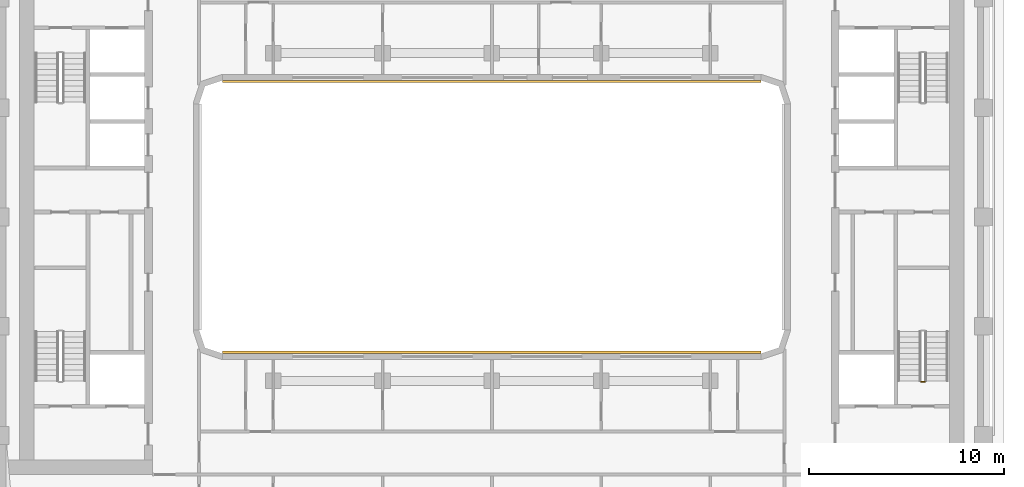
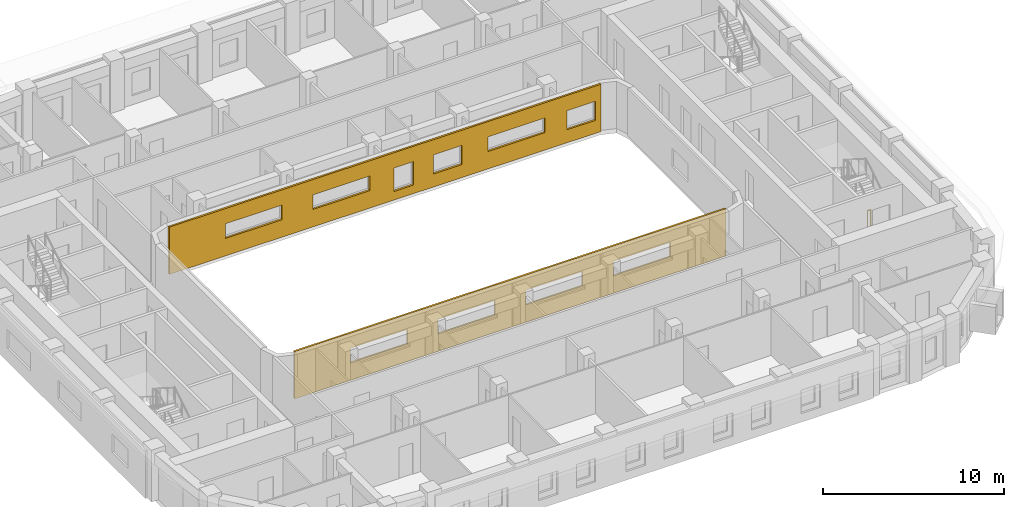
# One storey, part 15 of 21: 2 coverings, 1 railing.
"""IFC4 building model written with IfcOpenShell, lengths in metres."""

from ifc_helpers import new_model, si_unit, direction, frame, origin, origin_2d, place, context, subcontext, project, spatial, polyline, circle, outline, extrude, material, layer, layer_set, type_object, element, save


model = new_model("IFC4")

# Units and contexts
model_context = context("Model", 3, precision=1e-05, world=origin(), true_north=direction((0.0, 1.0)))
body_context = subcontext(model_context, "Body", "Model", "MODEL_VIEW")
ifc_project = project(units=[si_unit("LENGTHUNIT", "METRE"), si_unit("AREAUNIT", "SQUARE_METRE"), si_unit("VOLUMEUNIT", "CUBIC_METRE"), si_unit("PLANEANGLEUNIT", "RADIAN"), si_unit("MASSUNIT", "GRAM", prefix="KILO")], contexts=[model_context])

# Site, building, storey
site_placement = place(None, origin())
site = spatial("IfcSite", under=ifc_project, at=site_placement, CompositionType="ELEMENT")
building_placement = place(site_placement, origin())
building = spatial("IfcBuilding", under=site, at=building_placement, Name="Kiln Ring Residences", CompositionType="ELEMENT")
storey_placement = place(building_placement, frame((0.0, 0.0, 199.39990234375)))
storey = spatial("IfcBuildingStorey", under=building, at=storey_placement, Name="L51", CompositionType="ELEMENT", Elevation=199.39990234375)

# Railing
ifc_material_1 = material(Name="Stainless steel", Category="steel")
railing_type = type_object("IfcRailingType", Name="CORE-STAIR-GUARD", PredefinedType="GUARDRAIL", material=ifc_material_1)
railing_placement = place(storey_placement, frame((22.199951171875, -8.449951171875, 0.0)))
element("IfcRailing", 1, at=railing_placement, inside=storey, type_object=railing_type, Name="L51 E-STS stair guard 4", PredefinedType="GUARDRAIL", context=body_context, shape_type="SweptSolid", body=[
    extrude(circle(Radius=0.02392578125, at=origin_2d()), frame((0.0, 0.0, 1.076171875), z_axis=(-1.0, 0.0, 0.0), x_axis=(0.0, -1.0, 0.0)), (0.0, 0.0, 1.0), 0.199951171875),
    extrude(circle(Radius=0.02099609375, at=origin_2d()), origin(), (0.0, 0.0, 1.0), 1.052001953125),
    extrude(circle(Radius=0.02099609375, at=origin_2d()), frame((-0.199951171875, 0.0, 0.0)), (0.0, 0.0, 1.0), 1.052001953125),
])

# Coverings
ifc_material_2 = material(Name="Brick masonry, dark clay brick", Category="masonry")
ifc_layer = layer(ifc_material_2, 0.1201171875)
ifc_layer_set = layer_set([ifc_layer], Name="RAINSCREEN PANEL 120")
covering_type = type_object("IfcCoveringType", Name="RAINSCREEN PANEL 120", PredefinedType="CLADDING", material=ifc_layer_set)
covering_1_placement = place(storey_placement, frame((-13.800048828125, 6.93994140625, 0.0), z_axis=(0.0, 0.0, 1.0), x_axis=(1.0, 0.0, 0.0)))
element("IfcCovering", 2, at=covering_1_placement, inside=storey, type_object=covering_type, Name="RAINSCREEN L51", PredefinedType="CLADDING", context=body_context, shape_type="SweptSolid", body=[
    extrude(outline(polyline([(0.0, 0.0), (27.60009765625, 0.0), (27.60009765625, 3.2001953125), (0.0, 3.2001953125), (0.0, 0.0)]), holes=[polyline([(15.6201171875, 0.580078125), (15.6201171875, 2.170166015625), (14.3798828125, 2.170166015625), (14.3798828125, 0.580078125), (15.6201171875, 0.580078125)]), polyline([(16.8798828125, 0.880126953125), (18.719970703125, 0.880126953125), (18.719970703125, 2.170166015625), (16.8798828125, 2.170166015625), (16.8798828125, 0.880126953125)]), polyline([(25.41748046875, 0.880126953125), (27.257568359375, 0.880126953125), (27.257568359375, 2.170166015625), (25.41748046875, 2.170166015625), (25.41748046875, 0.880126953125)]), polyline([(7.219970703125, 1.18017578125), (7.219970703125, 2.170166015625), (3.580078125, 2.170166015625), (3.580078125, 1.18017578125), (7.219970703125, 1.18017578125)]), polyline([(9.179931640625, 1.18017578125), (12.820068359375, 1.18017578125), (12.820068359375, 2.170166015625), (9.179931640625, 2.170166015625), (9.179931640625, 1.18017578125)]), polyline([(20.3798828125, 1.18017578125), (24.02001953125, 1.18017578125), (24.02001953125, 2.170166015625), (20.3798828125, 2.170166015625), (20.3798828125, 1.18017578125)])]), frame((0.0, 0.06005859375, 0.0), z_axis=(0.0, -1.0, 0.0), x_axis=(1.0, 0.0, 0.0)), (0.0, 0.0, 1.0), 0.1201171875),
])
covering_2_placement = place(storey_placement, frame((13.800048828125, -6.93994140625, 0.0), z_axis=(0.0, 0.0, 1.0), x_axis=(-1.0, 0.0, 0.0)))
element("IfcCovering", 3, at=covering_2_placement, inside=storey, type_object=covering_type, Name="RAINSCREEN L51", PredefinedType="CLADDING", context=body_context, shape_type="SweptSolid", body=[
    extrude(outline(polyline([(0.0, 0.0), (27.60009765625, 0.0), (27.60009765625, 3.2001953125), (0.0, 3.2001953125), (0.0, 0.0)]), holes=[polyline([(7.219970703125, 1.18017578125), (7.219970703125, 2.170166015625), (3.580078125, 2.170166015625), (3.580078125, 1.18017578125), (7.219970703125, 1.18017578125)]), polyline([(12.820068359375, 1.18017578125), (12.820068359375, 2.170166015625), (9.179931640625, 2.170166015625), (9.179931640625, 1.18017578125), (12.820068359375, 1.18017578125)]), polyline([(18.419921875, 1.18017578125), (18.419921875, 2.170166015625), (14.780029296875, 2.170166015625), (14.780029296875, 1.18017578125), (18.419921875, 1.18017578125)]), polyline([(24.02001953125, 1.18017578125), (24.02001953125, 2.170166015625), (20.3798828125, 2.170166015625), (20.3798828125, 1.18017578125), (24.02001953125, 1.18017578125)])]), frame((0.0, 0.06005859375, 0.0), z_axis=(0.0, -1.0, 0.0), x_axis=(1.0, 0.0, 0.0)), (0.0, 0.0, 1.0), 0.1201171875),
])

save(model, "model.ifc")
